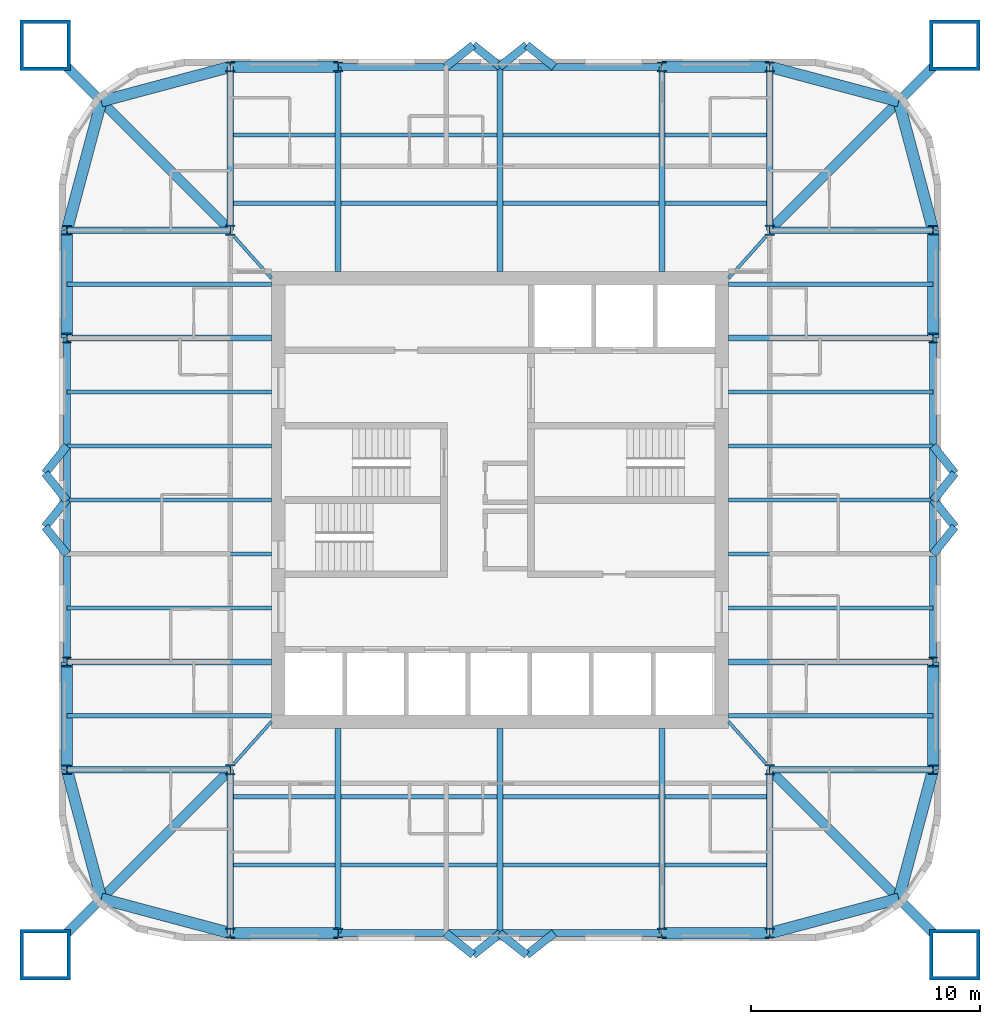
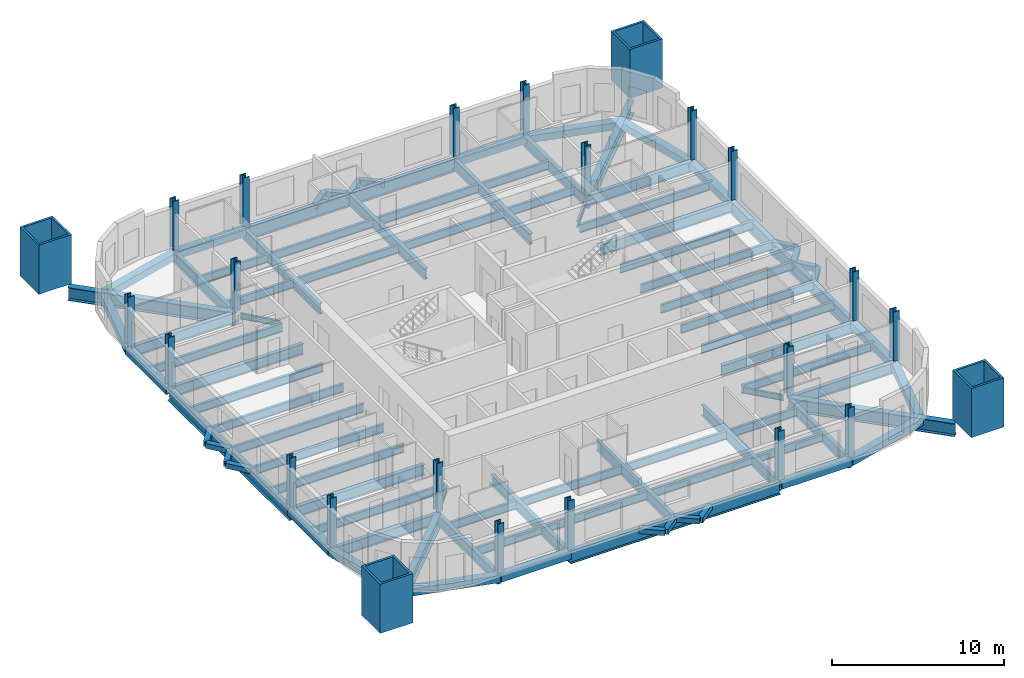
# One storey, part 1 of 8: 92 beams, 24 columns.
"""IFC4 building model written with IfcOpenShell, lengths in metres."""

from ifc_helpers import new_model, si_unit, direction, frame, origin, origin_2d, place, context, subcontext, project, spatial, hollow_rectangle, i_section, extrude, material, material_profile, profile_set, type_object, element, save


model = new_model("IFC4")

# Units and contexts
model_context = context("Model", 3, precision=1e-05, world=origin(), true_north=direction((0.0, 1.0)))
body_context = subcontext(model_context, "Body", "Model", "MODEL_VIEW")
ifc_project = project(units=[si_unit("LENGTHUNIT", "METRE"), si_unit("AREAUNIT", "SQUARE_METRE"), si_unit("VOLUMEUNIT", "CUBIC_METRE"), si_unit("PLANEANGLEUNIT", "RADIAN"), si_unit("MASSUNIT", "GRAM", prefix="KILO")], contexts=[model_context])

# Site, building, storey
site_placement = place(None, origin())
site = spatial("IfcSite", under=ifc_project, at=site_placement, CompositionType="ELEMENT")
building_placement = place(site_placement, origin())
building = spatial("IfcBuilding", under=site, at=building_placement, Name="Turquesa Mirador Hotel Tower", CompositionType="ELEMENT")
storey_placement = place(building_placement, frame((0.0, 0.0, 193.300048828125)))
storey = spatial("IfcBuildingStorey", under=building, at=storey_placement, Name="L52", CompositionType="ELEMENT", Elevation=193.300048828125)

# Columns
ifc_material_1 = material(Name="Steel ASTM A992 Grade 50", Category="steel")
ifc_material_profile_1 = material_profile(ifc_material_1, i_section(OverallWidth=0.411376953125, OverallDepth=0.434326171875, WebThickness=0.035888671875, FlangeThickness=0.057373046875, at=origin_2d()), Name="W14X311")
ifc_profile_set_1 = profile_set([ifc_material_profile_1], Name="Steel ASTM A992 Grade 50")
column_type_1 = type_object("IfcColumnType", Name="COLUMN W14X311", PredefinedType="COLUMN", material=ifc_profile_set_1)
for number, where, z_axis, x_axis, name in (
    (1, (36.050048828125, 33.199951171875, 0.0), (0.0, 0.0, 1.0), (1.0, 0.0, 0.0), "COL-L52-P--18.95--11.80"),
    (2, (36.050048828125, 37.919921875, 0.0), (0.0, 0.0, 1.0), (1.0, 0.0, 0.0), "COL-L52-P--18.95--7.08"),
    (3, (36.050048828125, 52.080078125, 0.0), (0.0, 0.0, 1.0), (1.0, 0.0, 0.0), "COL-L52-P--18.95-+7.08"),
    (4, (36.050048828125, 56.800048828125, 0.0), (0.0, 0.0, 1.0), (1.0, 0.0, 0.0), "COL-L52-P--18.95-+11.80"),
    (5, (43.199951171875, 26.050048828125, 0.0), (0.0, 0.0, 1.0), (1.0, 0.0, 0.0), "COL-L52-P--11.80--18.95"),
    (6, (43.199951171875, 63.949951171875, 0.0), (0.0, 0.0, 1.0), (1.0, 0.0, 0.0), "COL-L52-P--11.80-+18.95"),
    (7, (47.919921875, 26.050048828125, 0.0), (0.0, 0.0, 1.0), (1.0, 0.0, 0.0), "COL-L52-P--7.08--18.95"),
    (8, (47.919921875, 63.949951171875, 0.0), (0.0, 0.0, 1.0), (1.0, 0.0, 0.0), "COL-L52-P--7.08-+18.95"),
    (9, (62.080078125, 26.050048828125, 0.0), (0.0, 0.0, 1.0), (1.0, 0.0, 0.0), "COL-L52-P-+7.08--18.95"),
    (10, (62.080078125, 63.949951171875, 0.0), (0.0, 0.0, 1.0), (1.0, 0.0, 0.0), "COL-L52-P-+7.08-+18.95"),
    (11, (66.800048828125, 26.050048828125, 0.0), (0.0, 0.0, 1.0), (1.0, 0.0, 0.0), "COL-L52-P-+11.80--18.95"),
    (12, (66.800048828125, 63.949951171875, 0.0), (0.0, 0.0, 1.0), (1.0, 0.0, 0.0), "COL-L52-P-+11.80-+18.95"),
    (13, (73.949951171875, 33.199951171875, 0.0), (0.0, 0.0, 1.0), (1.0, 0.0, 0.0), "COL-L52-P-+18.95--11.80"),
    (14, (73.949951171875, 37.919921875, 0.0), (0.0, 0.0, 1.0), (1.0, 0.0, 0.0), "COL-L52-P-+18.95--7.08"),
    (15, (73.949951171875, 52.080078125, 0.0), (0.0, 0.0, 1.0), (1.0, 0.0, 0.0), "COL-L52-P-+18.95-+7.08"),
    (16, (73.949951171875, 56.800048828125, 0.0), (0.0, 0.0, 1.0), (1.0, 0.0, 0.0), "COL-L52-P-+18.95-+11.80"),
):
    element("IfcColumn", number, at=place(storey_placement, frame(where, z_axis=z_axis, x_axis=x_axis)), inside=storey, type_object=column_type_1, Name=name, PredefinedType="COLUMN", context=body_context, shape_type="SweptSolid", body=[
        extrude(i_section(OverallWidth=0.411376953125, OverallDepth=0.434326171875, WebThickness=0.035888671875, FlangeThickness=0.057373046875, at=origin_2d()), origin(), (0.0, 0.0, 1.0), 3.5),
    ])
ifc_material_2 = material(Name="Steel ASTM A992 Grade 50", Category="steel")
ifc_material_profile_2 = material_profile(ifc_material_2, i_section(OverallWidth=0.421630859375, OverallDepth=0.46484375, WebThickness=0.044921875, FlangeThickness=0.072509765625, at=origin_2d()), Name="W14X398")
ifc_profile_set_2 = profile_set([ifc_material_profile_2], Name="Steel ASTM A992 Grade 50")
column_type_2 = type_object("IfcColumnType", Name="COLUMN W14X398", PredefinedType="COLUMN", material=ifc_profile_set_2)
for number, where, z_axis, x_axis, name in (
    (17, (43.199951171875, 33.199951171875, 0.0), (0.0, 0.0, 1.0), (1.0, 0.0, 0.0), "COL-L52-K--11.80--11.80"),
    (18, (43.199951171875, 56.800048828125, 0.0), (0.0, 0.0, 1.0), (1.0, 0.0, 0.0), "COL-L52-K--11.80-+11.80"),
    (19, (66.800048828125, 33.199951171875, 0.0), (0.0, 0.0, 1.0), (1.0, 0.0, 0.0), "COL-L52-K-+11.80--11.80"),
    (20, (66.800048828125, 56.800048828125, 0.0), (0.0, 0.0, 1.0), (1.0, 0.0, 0.0), "COL-L52-K-+11.80-+11.80"),
):
    element("IfcColumn", number, at=place(storey_placement, frame(where, z_axis=z_axis, x_axis=x_axis)), inside=storey, type_object=column_type_2, Name=name, PredefinedType="COLUMN", context=body_context, shape_type="SweptSolid", body=[
        extrude(i_section(OverallWidth=0.421630859375, OverallDepth=0.46484375, WebThickness=0.044921875, FlangeThickness=0.072509765625, at=origin_2d()), origin(), (0.0, 0.0, 1.0), 3.5),
    ])
ifc_material_3 = material(Name="Steel ASTM A514 Grade Q", Category="steel")
ifc_material_profile_3 = material_profile(ifc_material_3, hollow_rectangle(XDim=2.199951171875, YDim=2.199951171875, WallThickness=0.14990234375, at=origin_2d()), Name="BOX2200X2200X150")
ifc_profile_set_3 = profile_set([ifc_material_profile_3], Name="Steel ASTM A514 Grade Q")
column_type_3 = type_object("IfcColumnType", Name="MEGA COLUMN BOX2200X2200X150", PredefinedType="COLUMN", material=ifc_profile_set_3)
for number, where, z_axis, x_axis, name in (
    (21, (74.89990234375, 64.89990234375, 0.0), (0.0, 0.0, 1.0), (1.0, 0.0, 0.0), "Mega column M1"),
    (22, (35.10009765625, 64.89990234375, 0.0), (0.0, 0.0, 1.0), (1.0, 0.0, 0.0), "Mega column M2"),
    (23, (35.10009765625, 25.10009765625, 0.0), (0.0, 0.0, 1.0), (1.0, 0.0, 0.0), "Mega column M3"),
    (24, (74.89990234375, 25.10009765625, 0.0), (0.0, 0.0, 1.0), (1.0, 0.0, 0.0), "Mega column M4"),
):
    element("IfcColumn", number, at=place(storey_placement, frame(where, z_axis=z_axis, x_axis=x_axis)), inside=storey, type_object=column_type_3, Name=name, PredefinedType="COLUMN", context=body_context, shape_type="SweptSolid", body=[
        extrude(hollow_rectangle(XDim=2.199951171875, YDim=2.199951171875, WallThickness=0.14990234375, at=origin_2d()), origin(), (0.0, 0.0, 1.0), 3.5),
    ])

# Beams
ifc_material_4 = material(Name="Steel ASTM A572 Grade 50", Category="steel")
ifc_material_profile_4 = material_profile(ifc_material_4, hollow_rectangle(XDim=0.5, YDim=0.5, WallThickness=0.01611328125, at=origin_2d()), Name="BOX500X500X16")
ifc_profile_set_4 = profile_set([ifc_material_profile_4], Name="Steel ASTM A572 Grade 50")
beam_type_1 = type_object("IfcBeamType", Name="BEAM BOX500X500X16", PredefinedType="BEAM", material=ifc_profile_set_4)
for number, where, z_axis, x_axis, name in (
    (25, (43.199951171875, 63.949951171875, -0.420166015625), (1.0, 0.0, 0.0), (0.0, 1.0, 0.0), "EB-L52-N-L"),
    (26, (62.080078125, 63.949951171875, -0.420166015625), (1.0, 0.0, 0.0), (0.0, 1.0, 0.0), "EB-L52-N-R"),
    (27, (43.199951171875, 26.050048828125, -0.420166015625), (1.0, 0.0, 0.0), (0.0, 1.0, 0.0), "EB-L52-S-L"),
    (28, (62.080078125, 26.050048828125, -0.420166015625), (1.0, 0.0, 0.0), (0.0, 1.0, 0.0), "EB-L52-S-R"),
    (29, (73.949951171875, 33.199951171875, -0.420166015625), (0.0, 1.0, 0.0), (-1.0, 0.0, 0.0), "EB-L52-E-L"),
    (30, (73.949951171875, 52.080078125, -0.420166015625), (0.0, 1.0, 0.0), (-1.0, 0.0, 0.0), "EB-L52-E-R"),
    (31, (36.050048828125, 33.199951171875, -0.420166015625), (0.0, 1.0, 0.0), (-1.0, 0.0, 0.0), "EB-L52-W-L"),
    (32, (36.050048828125, 52.080078125, -0.420166015625), (0.0, 1.0, 0.0), (-1.0, 0.0, 0.0), "EB-L52-W-R"),
):
    element("IfcBeam", number, at=place(storey_placement, frame(where, z_axis=z_axis, x_axis=x_axis)), inside=storey, type_object=beam_type_1, Name=name, PredefinedType="BEAM", context=body_context, shape_type="SweptSolid", body=[
        extrude(hollow_rectangle(XDim=0.5, YDim=0.5, WallThickness=0.01611328125, at=origin_2d()), origin(), (0.0, 0.0, 1.0), 4.719970703125),
    ])
for number, where, z_axis, x_axis, name in (
    (33, (73.949951171875, 56.800048828125, -0.420166015625), (-0.258281892145, 0.966069595935, 0.0), (-0.966069595935, -0.258281892145, 0.0), "KE-L52-1-0"),
    (34, (72.441650390625, 62.441650390625, -0.420166015625), (-0.966069595935, 0.258281892145, 0.0), (-0.258281892145, -0.966069595935, 0.0), "KE-L52-1-1"),
    (35, (36.050048828125, 56.800048828125, -0.420166015625), (0.258281892145, 0.966069595935, 0.0), (-0.966069595935, 0.258281892145, 0.0), "KE-L52-2-0"),
    (36, (37.558349609375, 62.441650390625, -0.420166015625), (0.966069595935, 0.258281892145, 0.0), (-0.258281892145, 0.966069595935, 0.0), "KE-L52-2-1"),
    (37, (36.050048828125, 33.199951171875, -0.420166015625), (0.258281892145, -0.966069595935, 0.0), (0.966069595935, 0.258281892145, 0.0), "KE-L52-3-0"),
    (38, (37.558349609375, 27.558349609375, -0.420166015625), (0.966069595935, -0.258281892145, 0.0), (0.258281892145, 0.966069595935, 0.0), "KE-L52-3-1"),
    (39, (73.949951171875, 33.199951171875, -0.420166015625), (-0.258281892145, -0.966069595935, 0.0), (0.966069595935, -0.258281892145, 0.0), "KE-L52-4-0"),
    (40, (72.441650390625, 27.558349609375, -0.420166015625), (-0.966069595935, -0.258281892145, 0.0), (0.258281892145, -0.966069595935, 0.0), "KE-L52-4-1"),
):
    element("IfcBeam", number, at=place(storey_placement, frame(where, z_axis=z_axis, x_axis=x_axis)), inside=storey, type_object=beam_type_1, Name=name, PredefinedType="BEAM", context=body_context, shape_type="SweptSolid", body=[
        extrude(hollow_rectangle(XDim=0.5, YDim=0.5, WallThickness=0.01611328125, at=origin_2d()), origin(), (0.0, 0.0, 1.0), 5.83984375),
    ])
ifc_material_5 = material(Name="Steel ASTM A992 Grade 50", Category="steel")
ifc_material_profile_5 = material_profile(ifc_material_5, i_section(OverallWidth=0.140380859375, OverallDepth=0.40380859375, WebThickness=0.007080078125, FlangeThickness=0.01123046875, at=origin_2d()), Name="W16X31")
ifc_profile_set_5 = profile_set([ifc_material_profile_5], Name="Steel ASTM A992 Grade 50")
beam_type_2 = type_object("IfcBeamType", Name="BEAM W16X31", PredefinedType="BEAM", material=ifc_profile_set_5)
for number, where, z_axis, x_axis, name in (
    (41, (66.634765625, 56.527099609375, -0.3720703125), (-0.666783216266, -0.745251730964, 0.0), (0.745251730964, -0.666783216266, 0.0), "KT-L52-1"),
    (42, (43.365234375, 56.527099609375, -0.3720703125), (0.666783216266, -0.745251730964, 0.0), (0.745251730964, 0.666783216266, 0.0), "KT-L52-2"),
    (43, (43.365234375, 33.472900390625, -0.3720703125), (0.666783216266, 0.745251730964, 0.0), (-0.745251730964, 0.666783216266, 0.0), "KT-L52-3"),
    (44, (66.634765625, 33.472900390625, -0.3720703125), (-0.666783216266, 0.745251730964, 0.0), (-0.745251730964, -0.666783216266, 0.0), "KT-L52-4"),
):
    element("IfcBeam", number, at=place(storey_placement, frame(where, z_axis=z_axis, x_axis=x_axis)), inside=storey, type_object=beam_type_2, Name=name, PredefinedType="BEAM", context=body_context, shape_type="SweptSolid", body=[
        extrude(i_section(OverallWidth=0.140380859375, OverallDepth=0.40380859375, WebThickness=0.007080078125, FlangeThickness=0.01123046875, at=origin_2d()), origin(), (0.0, 0.0, 1.0), 2.45166015625),
    ])
ifc_material_6 = material(Name="Steel ASTM A992 Grade 50", Category="steel")
ifc_material_profile_6 = material_profile(ifc_material_6, i_section(OverallWidth=0.177978515625, OverallDepth=0.599365234375, WebThickness=0.010009765625, FlangeThickness=0.012939453125, at=origin_2d()), Name="W24X55")
ifc_profile_set_6 = profile_set([ifc_material_profile_6], Name="Steel ASTM A992 Grade 50")
beam_type_3 = type_object("IfcBeamType", Name="BEAM W24X55", PredefinedType="BEAM", material=ifc_profile_set_6)
beam_1_placement = place(storey_placement, frame((43.333251953125, 57.98291015625, -0.4697265625), z_axis=(1.0, 0.0, 0.0), x_axis=(0.0, 1.0, 0.0)))
element("IfcBeam", 45, at=beam_1_placement, inside=storey, type_object=beam_type_3, Name="IB-L52-N-1-0", PredefinedType="BEAM", context=body_context, shape_type="SweptSolid", body=[
    extrude(i_section(OverallWidth=0.177978515625, OverallDepth=0.599365234375, WebThickness=0.010009765625, FlangeThickness=0.012939453125, at=origin_2d()), origin(), (0.0, 0.0, 1.0), 4.453369140625),
])
for number, where, z_axis, x_axis, name in (
    (46, (48.053466796875, 57.98291015625, -0.4697265625), (1.0, 0.0, 0.0), (0.0, 1.0, 0.0), "IB-L52-N-1-1"),
    (47, (55.13330078125, 57.98291015625, -0.4697265625), (1.0, 0.0, 0.0), (0.0, 1.0, 0.0), "IB-L52-N-1-2"),
):
    element("IfcBeam", number, at=place(storey_placement, frame(where, z_axis=z_axis, x_axis=x_axis)), inside=storey, type_object=beam_type_3, Name=name, PredefinedType="BEAM", context=body_context, shape_type="SweptSolid", body=[
        extrude(i_section(OverallWidth=0.177978515625, OverallDepth=0.599365234375, WebThickness=0.010009765625, FlangeThickness=0.012939453125, at=origin_2d()), origin(), (0.0, 0.0, 1.0), 6.813232421875),
    ])
for number, where, z_axis, x_axis, name in (
    (48, (62.21337890625, 57.98291015625, -0.4697265625), (1.0, 0.0, 0.0), (0.0, 1.0, 0.0), "IB-L52-N-1-3"),
    (49, (43.333251953125, 60.967041015625, -0.4697265625), (1.0, 0.0, 0.0), (0.0, 1.0, 0.0), "IB-L52-N-2-0"),
):
    element("IfcBeam", number, at=place(storey_placement, frame(where, z_axis=z_axis, x_axis=x_axis)), inside=storey, type_object=beam_type_3, Name=name, PredefinedType="BEAM", context=body_context, shape_type="SweptSolid", body=[
        extrude(i_section(OverallWidth=0.177978515625, OverallDepth=0.599365234375, WebThickness=0.010009765625, FlangeThickness=0.012939453125, at=origin_2d()), origin(), (0.0, 0.0, 1.0), 4.453369140625),
    ])
for number, where, z_axis, x_axis, name in (
    (50, (48.053466796875, 60.967041015625, -0.4697265625), (1.0, 0.0, 0.0), (0.0, 1.0, 0.0), "IB-L52-N-2-1"),
    (51, (55.13330078125, 60.967041015625, -0.4697265625), (1.0, 0.0, 0.0), (0.0, 1.0, 0.0), "IB-L52-N-2-2"),
):
    element("IfcBeam", number, at=place(storey_placement, frame(where, z_axis=z_axis, x_axis=x_axis)), inside=storey, type_object=beam_type_3, Name=name, PredefinedType="BEAM", context=body_context, shape_type="SweptSolid", body=[
        extrude(i_section(OverallWidth=0.177978515625, OverallDepth=0.599365234375, WebThickness=0.010009765625, FlangeThickness=0.012939453125, at=origin_2d()), origin(), (0.0, 0.0, 1.0), 6.813232421875),
    ])
for number, where, z_axis, x_axis, name in (
    (52, (62.21337890625, 60.967041015625, -0.4697265625), (1.0, 0.0, 0.0), (0.0, 1.0, 0.0), "IB-L52-N-2-3"),
    (53, (43.333251953125, 32.01708984375, -0.4697265625), (1.0, 0.0, 0.0), (0.0, 1.0, 0.0), "IB-L52-S-1-0"),
):
    element("IfcBeam", number, at=place(storey_placement, frame(where, z_axis=z_axis, x_axis=x_axis)), inside=storey, type_object=beam_type_3, Name=name, PredefinedType="BEAM", context=body_context, shape_type="SweptSolid", body=[
        extrude(i_section(OverallWidth=0.177978515625, OverallDepth=0.599365234375, WebThickness=0.010009765625, FlangeThickness=0.012939453125, at=origin_2d()), origin(), (0.0, 0.0, 1.0), 4.453369140625),
    ])
for number, where, z_axis, x_axis, name in (
    (54, (48.053466796875, 32.01708984375, -0.4697265625), (1.0, 0.0, 0.0), (0.0, 1.0, 0.0), "IB-L52-S-1-1"),
    (55, (55.13330078125, 32.01708984375, -0.4697265625), (1.0, 0.0, 0.0), (0.0, 1.0, 0.0), "IB-L52-S-1-2"),
):
    element("IfcBeam", number, at=place(storey_placement, frame(where, z_axis=z_axis, x_axis=x_axis)), inside=storey, type_object=beam_type_3, Name=name, PredefinedType="BEAM", context=body_context, shape_type="SweptSolid", body=[
        extrude(i_section(OverallWidth=0.177978515625, OverallDepth=0.599365234375, WebThickness=0.010009765625, FlangeThickness=0.012939453125, at=origin_2d()), origin(), (0.0, 0.0, 1.0), 6.813232421875),
    ])
for number, where, z_axis, x_axis, name in (
    (56, (62.21337890625, 32.01708984375, -0.4697265625), (1.0, 0.0, 0.0), (0.0, 1.0, 0.0), "IB-L52-S-1-3"),
    (57, (43.333251953125, 29.032958984375, -0.4697265625), (1.0, 0.0, 0.0), (0.0, 1.0, 0.0), "IB-L52-S-2-0"),
):
    element("IfcBeam", number, at=place(storey_placement, frame(where, z_axis=z_axis, x_axis=x_axis)), inside=storey, type_object=beam_type_3, Name=name, PredefinedType="BEAM", context=body_context, shape_type="SweptSolid", body=[
        extrude(i_section(OverallWidth=0.177978515625, OverallDepth=0.599365234375, WebThickness=0.010009765625, FlangeThickness=0.012939453125, at=origin_2d()), origin(), (0.0, 0.0, 1.0), 4.453369140625),
    ])
for number, where, z_axis, x_axis, name in (
    (58, (48.053466796875, 29.032958984375, -0.4697265625), (1.0, 0.0, 0.0), (0.0, 1.0, 0.0), "IB-L52-S-2-1"),
    (59, (55.13330078125, 29.032958984375, -0.4697265625), (1.0, 0.0, 0.0), (0.0, 1.0, 0.0), "IB-L52-S-2-2"),
):
    element("IfcBeam", number, at=place(storey_placement, frame(where, z_axis=z_axis, x_axis=x_axis)), inside=storey, type_object=beam_type_3, Name=name, PredefinedType="BEAM", context=body_context, shape_type="SweptSolid", body=[
        extrude(i_section(OverallWidth=0.177978515625, OverallDepth=0.599365234375, WebThickness=0.010009765625, FlangeThickness=0.012939453125, at=origin_2d()), origin(), (0.0, 0.0, 1.0), 6.813232421875),
    ])
beam_2_placement = place(storey_placement, frame((62.21337890625, 29.032958984375, -0.4697265625), z_axis=(1.0, 0.0, 0.0), x_axis=(0.0, 1.0, 0.0)))
element("IfcBeam", 60, at=beam_2_placement, inside=storey, type_object=beam_type_3, Name="IB-L52-S-2-3", PredefinedType="BEAM", context=body_context, shape_type="SweptSolid", body=[
    extrude(i_section(OverallWidth=0.177978515625, OverallDepth=0.599365234375, WebThickness=0.010009765625, FlangeThickness=0.012939453125, at=origin_2d()), origin(), (0.0, 0.0, 1.0), 4.453369140625),
])
for number, where, z_axis, x_axis, name in (
    (61, (73.949951171875, 35.56005859375, -0.4697265625), (-1.0, 0.0, 0.0), (0.0, -1.0, 0.0), "BM-L52-E--9.44"),
    (62, (73.949951171875, 40.280029296875, -0.4697265625), (-1.0, 0.0, 0.0), (0.0, -1.0, 0.0), "BM-L52-E--4.72"),
    (63, (73.949951171875, 42.639892578125, -0.4697265625), (-1.0, 0.0, 0.0), (0.0, -1.0, 0.0), "BM-L52-E--2.36"),
    (64, (73.949951171875, 45.0, -0.4697265625), (-1.0, 0.0, 0.0), (0.0, -1.0, 0.0), "BM-L52-E-+0.00"),
    (65, (73.949951171875, 47.360107421875, -0.4697265625), (-1.0, 0.0, 0.0), (0.0, -1.0, 0.0), "BM-L52-E-+2.36"),
    (66, (73.949951171875, 49.719970703125, -0.4697265625), (-1.0, 0.0, 0.0), (0.0, -1.0, 0.0), "BM-L52-E-+4.72"),
    (67, (73.949951171875, 54.43994140625, -0.4697265625), (-1.0, 0.0, 0.0), (0.0, -1.0, 0.0), "BM-L52-E-+9.44"),
    (68, (36.050048828125, 35.56005859375, -0.4697265625), (1.0, 0.0, 0.0), (0.0, 1.0, 0.0), "BM-L52-W--9.44"),
    (69, (36.050048828125, 40.280029296875, -0.4697265625), (1.0, 0.0, 0.0), (0.0, 1.0, 0.0), "BM-L52-W--4.72"),
    (70, (36.050048828125, 42.639892578125, -0.4697265625), (1.0, 0.0, 0.0), (0.0, 1.0, 0.0), "BM-L52-W--2.36"),
    (71, (36.050048828125, 45.0, -0.4697265625), (1.0, 0.0, 0.0), (0.0, 1.0, 0.0), "BM-L52-W-+0.00"),
    (72, (36.050048828125, 47.360107421875, -0.4697265625), (1.0, 0.0, 0.0), (0.0, 1.0, 0.0), "BM-L52-W-+2.36"),
    (73, (36.050048828125, 49.719970703125, -0.4697265625), (1.0, 0.0, 0.0), (0.0, 1.0, 0.0), "BM-L52-W-+4.72"),
    (74, (36.050048828125, 54.43994140625, -0.4697265625), (1.0, 0.0, 0.0), (0.0, 1.0, 0.0), "BM-L52-W-+9.44"),
):
    element("IfcBeam", number, at=place(storey_placement, frame(where, z_axis=z_axis, x_axis=x_axis)), inside=storey, type_object=beam_type_3, Name=name, PredefinedType="BEAM", context=body_context, shape_type="SweptSolid", body=[
        extrude(i_section(OverallWidth=0.177978515625, OverallDepth=0.599365234375, WebThickness=0.010009765625, FlangeThickness=0.012939453125, at=origin_2d()), origin(), (0.0, 0.0, 1.0), 8.949951171875),
    ])
ifc_material_7 = material(Name="Steel ASTM A992 Grade 50", Category="steel")
ifc_material_profile_7 = material_profile(ifc_material_7, i_section(OverallWidth=0.2666015625, OverallDepth=0.7568359375, WebThickness=0.013916015625, FlangeThickness=0.019287109375, at=origin_2d()), Name="W30X108")
ifc_profile_set_7 = profile_set([ifc_material_profile_7], Name="Steel ASTM A992 Grade 50")
beam_type_4 = type_object("IfcBeamType", Name="BEAM W30X108", PredefinedType="BEAM", material=ifc_profile_set_7)
for number, where, z_axis, x_axis, name in (
    (75, (47.919921875, 63.949951171875, -0.548583984375), (0.0, -1.0, 0.0), (1.0, 0.0, 0.0), "GD-L52-N--7.08"),
    (76, (62.080078125, 63.949951171875, -0.548583984375), (0.0, -1.0, 0.0), (1.0, 0.0, 0.0), "GD-L52-N-+7.08"),
    (77, (55.0, 63.949951171875, -0.548583984375), (0.0, -1.0, 0.0), (1.0, 0.0, 0.0), "GD-L52-N-+0.00"),
):
    element("IfcBeam", number, at=place(storey_placement, frame(where, z_axis=z_axis, x_axis=x_axis)), inside=storey, type_object=beam_type_4, Name=name, PredefinedType="BEAM", context=body_context, shape_type="SweptSolid", body=[
        extrude(i_section(OverallWidth=0.2666015625, OverallDepth=0.7568359375, WebThickness=0.013916015625, FlangeThickness=0.019287109375, at=origin_2d()), origin(), (0.0, 0.0, 1.0), 8.949951171875),
    ])
for number, where, z_axis, x_axis, name in (
    (78, (43.199951171875, 63.949951171875, -0.548583984375), (0.0, -1.0, 0.0), (1.0, 0.0, 0.0), "GK-L52-N--11.80"),
    (79, (66.800048828125, 63.949951171875, -0.548583984375), (0.0, -1.0, 0.0), (1.0, 0.0, 0.0), "GK-L52-N-+11.80"),
):
    element("IfcBeam", number, at=place(storey_placement, frame(where, z_axis=z_axis, x_axis=x_axis)), inside=storey, type_object=beam_type_4, Name=name, PredefinedType="BEAM", context=body_context, shape_type="SweptSolid", body=[
        extrude(i_section(OverallWidth=0.2666015625, OverallDepth=0.7568359375, WebThickness=0.013916015625, FlangeThickness=0.019287109375, at=origin_2d()), origin(), (0.0, 0.0, 1.0), 7.14990234375),
    ])
for number, where, z_axis, x_axis, name in (
    (80, (47.919921875, 26.050048828125, -0.548583984375), (0.0, 1.0, 0.0), (-1.0, 0.0, 0.0), "GD-L52-S--7.08"),
    (81, (62.080078125, 26.050048828125, -0.548583984375), (0.0, 1.0, 0.0), (-1.0, 0.0, 0.0), "GD-L52-S-+7.08"),
    (82, (55.0, 26.050048828125, -0.548583984375), (0.0, 1.0, 0.0), (-1.0, 0.0, 0.0), "GD-L52-S-+0.00"),
):
    element("IfcBeam", number, at=place(storey_placement, frame(where, z_axis=z_axis, x_axis=x_axis)), inside=storey, type_object=beam_type_4, Name=name, PredefinedType="BEAM", context=body_context, shape_type="SweptSolid", body=[
        extrude(i_section(OverallWidth=0.2666015625, OverallDepth=0.7568359375, WebThickness=0.013916015625, FlangeThickness=0.019287109375, at=origin_2d()), origin(), (0.0, 0.0, 1.0), 8.949951171875),
    ])
for number, where, z_axis, x_axis, name in (
    (83, (43.199951171875, 26.050048828125, -0.548583984375), (0.0, 1.0, 0.0), (-1.0, 0.0, 0.0), "GK-L52-S--11.80"),
    (84, (66.800048828125, 26.050048828125, -0.548583984375), (0.0, 1.0, 0.0), (-1.0, 0.0, 0.0), "GK-L52-S-+11.80"),
):
    element("IfcBeam", number, at=place(storey_placement, frame(where, z_axis=z_axis, x_axis=x_axis)), inside=storey, type_object=beam_type_4, Name=name, PredefinedType="BEAM", context=body_context, shape_type="SweptSolid", body=[
        extrude(i_section(OverallWidth=0.2666015625, OverallDepth=0.7568359375, WebThickness=0.013916015625, FlangeThickness=0.019287109375, at=origin_2d()), origin(), (0.0, 0.0, 1.0), 7.14990234375),
    ])
for number, where, z_axis, x_axis, name in (
    (85, (73.949951171875, 37.919921875, -0.548583984375), (-1.0, 0.0, 0.0), (0.0, -1.0, 0.0), "GD-L52-E--7.08"),
    (86, (73.949951171875, 52.080078125, -0.548583984375), (-1.0, 0.0, 0.0), (0.0, -1.0, 0.0), "GD-L52-E-+7.08"),
):
    element("IfcBeam", number, at=place(storey_placement, frame(where, z_axis=z_axis, x_axis=x_axis)), inside=storey, type_object=beam_type_4, Name=name, PredefinedType="BEAM", context=body_context, shape_type="SweptSolid", body=[
        extrude(i_section(OverallWidth=0.2666015625, OverallDepth=0.7568359375, WebThickness=0.013916015625, FlangeThickness=0.019287109375, at=origin_2d()), origin(), (0.0, 0.0, 1.0), 8.949951171875),
    ])
for number, where, z_axis, x_axis, name in (
    (87, (73.949951171875, 33.199951171875, -0.548583984375), (-1.0, 0.0, 0.0), (0.0, -1.0, 0.0), "GK-L52-E--11.80"),
    (88, (73.949951171875, 56.800048828125, -0.548583984375), (-1.0, 0.0, 0.0), (0.0, -1.0, 0.0), "GK-L52-E-+11.80"),
):
    element("IfcBeam", number, at=place(storey_placement, frame(where, z_axis=z_axis, x_axis=x_axis)), inside=storey, type_object=beam_type_4, Name=name, PredefinedType="BEAM", context=body_context, shape_type="SweptSolid", body=[
        extrude(i_section(OverallWidth=0.2666015625, OverallDepth=0.7568359375, WebThickness=0.013916015625, FlangeThickness=0.019287109375, at=origin_2d()), origin(), (0.0, 0.0, 1.0), 7.14990234375),
    ])
for number, where, z_axis, x_axis, name in (
    (89, (36.050048828125, 37.919921875, -0.548583984375), (1.0, 0.0, 0.0), (0.0, 1.0, 0.0), "GD-L52-W--7.08"),
    (90, (36.050048828125, 52.080078125, -0.548583984375), (1.0, 0.0, 0.0), (0.0, 1.0, 0.0), "GD-L52-W-+7.08"),
):
    element("IfcBeam", number, at=place(storey_placement, frame(where, z_axis=z_axis, x_axis=x_axis)), inside=storey, type_object=beam_type_4, Name=name, PredefinedType="BEAM", context=body_context, shape_type="SweptSolid", body=[
        extrude(i_section(OverallWidth=0.2666015625, OverallDepth=0.7568359375, WebThickness=0.013916015625, FlangeThickness=0.019287109375, at=origin_2d()), origin(), (0.0, 0.0, 1.0), 8.949951171875),
    ])
for number, where, z_axis, x_axis, name in (
    (91, (36.050048828125, 33.199951171875, -0.548583984375), (1.0, 0.0, 0.0), (0.0, 1.0, 0.0), "GK-L52-W--11.80"),
    (92, (36.050048828125, 56.800048828125, -0.548583984375), (1.0, 0.0, 0.0), (0.0, 1.0, 0.0), "GK-L52-W-+11.80"),
):
    element("IfcBeam", number, at=place(storey_placement, frame(where, z_axis=z_axis, x_axis=x_axis)), inside=storey, type_object=beam_type_4, Name=name, PredefinedType="BEAM", context=body_context, shape_type="SweptSolid", body=[
        extrude(i_section(OverallWidth=0.2666015625, OverallDepth=0.7568359375, WebThickness=0.013916015625, FlangeThickness=0.019287109375, at=origin_2d()), origin(), (0.0, 0.0, 1.0), 7.14990234375),
    ])
ifc_material_8 = material(Name="Steel ASTM A992 Grade 50", Category="steel")
ifc_material_profile_8 = material_profile(ifc_material_8, i_section(OverallWidth=0.3046875, OverallDepth=0.911865234375, WebThickness=0.015869140625, FlangeThickness=0.02392578125, at=origin_2d()), Name="W36X150")
ifc_profile_set_8 = profile_set([ifc_material_profile_8], Name="Steel ASTM A992 Grade 50")
beam_type_5 = type_object("IfcBeamType", Name="BEAM W36X150", PredefinedType="BEAM", material=ifc_profile_set_8)
for number, where, z_axis, x_axis, name in (
    (93, (47.919921875, 63.949951171875, -0.6259765625), (1.0, 0.0, 0.0), (0.0, 1.0, 0.0), "EB-L52-N-C"),
    (94, (47.919921875, 26.050048828125, -0.6259765625), (1.0, 0.0, 0.0), (0.0, 1.0, 0.0), "EB-L52-S-C"),
    (95, (73.949951171875, 37.919921875, -0.6259765625), (0.0, 1.0, 0.0), (-1.0, 0.0, 0.0), "EB-L52-E-C"),
    (96, (36.050048828125, 37.919921875, -0.6259765625), (0.0, 1.0, 0.0), (-1.0, 0.0, 0.0), "EB-L52-W-C"),
):
    element("IfcBeam", number, at=place(storey_placement, frame(where, z_axis=z_axis, x_axis=x_axis)), inside=storey, type_object=beam_type_5, Name=name, PredefinedType="BEAM", context=body_context, shape_type="SweptSolid", body=[
        extrude(i_section(OverallWidth=0.3046875, OverallDepth=0.911865234375, WebThickness=0.015869140625, FlangeThickness=0.02392578125, at=origin_2d()), origin(), (0.0, 0.0, 1.0), 14.16015625),
    ])
ifc_material_9 = material(Name="Steel ASTM A992 Grade 50", Category="steel")
ifc_material_profile_9 = material_profile(ifc_material_9, i_section(OverallWidth=0.419189453125, OverallDepth=0.927001953125, WebThickness=0.019287109375, FlangeThickness=0.031982421875, at=origin_2d()), Name="W36X231")
ifc_profile_set_9 = profile_set([ifc_material_profile_9], Name="Steel ASTM A992 Grade 50")
beam_type_6 = type_object("IfcBeamType", Name="BEAM W36X231", PredefinedType="BEAM", material=ifc_profile_set_9)
for number, where, z_axis, x_axis, name in (
    (97, (66.800048828125, 56.800048828125, -0.633544921875), (0.707106781187, 0.707106781187, 0.0), (-0.707106781187, 0.707106781187, 0.0), "KD-L52-1"),
    (98, (43.199951171875, 56.800048828125, -0.633544921875), (-0.707106781187, 0.707106781187, 0.0), (-0.707106781187, -0.707106781187, 0.0), "KD-L52-2"),
    (99, (43.199951171875, 33.199951171875, -0.633544921875), (-0.707106781187, -0.707106781187, 0.0), (0.707106781187, -0.707106781187, 0.0), "KD-L52-3"),
    (100, (66.800048828125, 33.199951171875, -0.633544921875), (0.707106781187, -0.707106781187, 0.0), (0.707106781187, 0.707106781187, 0.0), "KD-L52-4"),
):
    element("IfcBeam", number, at=place(storey_placement, frame(where, z_axis=z_axis, x_axis=x_axis)), inside=storey, type_object=beam_type_6, Name=name, PredefinedType="BEAM", context=body_context, shape_type="SweptSolid", body=[
        extrude(i_section(OverallWidth=0.419189453125, OverallDepth=0.927001953125, WebThickness=0.019287109375, FlangeThickness=0.031982421875, at=origin_2d()), origin(), (0.0, 0.0, 1.0), 10.080322265625),
    ])
ifc_material_10 = material(Name="Steel ASTM A500 Grade C", Category="steel")
ifc_material_profile_10 = material_profile(ifc_material_10, hollow_rectangle(XDim=0.355712890625, YDim=0.355712890625, WallThickness=0.0146484375, at=origin_2d()), Name="HSS14X14X5/8")
ifc_profile_set_10 = profile_set([ifc_material_profile_10], Name="Steel ASTM A500 Grade C")
beam_type_7 = type_object("IfcBeamType", Name="BRACE STRUT HSS14X14X5/8", PredefinedType="BEAM", material=ifc_profile_set_10)
for number, where, z_axis, x_axis, name in (
    (101, (56.170654296875, 64.89990234375, -0.347900390625), (-0.784049059149, -0.620698858423, 0.0), (0.620698858423, -0.784049059149, 0.0), "Brace strut"),
    (102, (56.170654296875, 64.89990234375, -0.347900390625), (0.784049059149, -0.620698858423, 0.0), (0.620698858423, 0.784049059149, 0.0), "Brace strut"),
    (103, (53.829345703125, 64.89990234375, -0.347900390625), (-0.784049059149, -0.620698858423, 0.0), (0.620698858423, -0.784049059149, 0.0), "Brace strut"),
    (104, (53.829345703125, 64.89990234375, -0.347900390625), (0.784049059149, -0.620698858423, 0.0), (0.620698858423, 0.784049059149, 0.0), "Brace strut"),
    (105, (56.170654296875, 25.10009765625, -0.347900390625), (-0.784049059149, 0.620698858423, 0.0), (-0.620698858423, -0.784049059149, 0.0), "Brace strut"),
    (106, (56.170654296875, 25.10009765625, -0.347900390625), (0.784049059149, 0.620698858423, 0.0), (-0.620698858423, 0.784049059149, 0.0), "Brace strut"),
    (107, (53.829345703125, 25.10009765625, -0.347900390625), (-0.784049059149, 0.620698858423, 0.0), (-0.620698858423, -0.784049059149, 0.0), "Brace strut"),
    (108, (53.829345703125, 25.10009765625, -0.347900390625), (0.784049059149, 0.620698858423, 0.0), (-0.620698858423, 0.784049059149, 0.0), "Brace strut"),
    (109, (74.89990234375, 46.170654296875, -0.347900390625), (-0.620698858423, -0.784049059149, 0.0), (0.784049059149, -0.620698858423, 0.0), "Brace strut"),
    (110, (74.89990234375, 46.170654296875, -0.347900390625), (-0.620698858423, 0.784049059149, 0.0), (-0.784049059149, -0.620698858423, 0.0), "Brace strut"),
    (111, (74.89990234375, 43.829345703125, -0.347900390625), (-0.620698858423, -0.784049059149, 0.0), (0.784049059149, -0.620698858423, 0.0), "Brace strut"),
    (112, (74.89990234375, 43.829345703125, -0.347900390625), (-0.620698858423, 0.784049059149, 0.0), (-0.784049059149, -0.620698858423, 0.0), "Brace strut"),
    (113, (35.10009765625, 46.170654296875, -0.347900390625), (0.620698858423, -0.784049059149, 0.0), (0.784049059149, 0.620698858423, 0.0), "Brace strut"),
    (114, (35.10009765625, 46.170654296875, -0.347900390625), (0.620698858423, 0.784049059149, 0.0), (-0.784049059149, 0.620698858423, 0.0), "Brace strut"),
    (115, (35.10009765625, 43.829345703125, -0.347900390625), (0.620698858423, -0.784049059149, 0.0), (0.784049059149, 0.620698858423, 0.0), "Brace strut"),
    (116, (35.10009765625, 43.829345703125, -0.347900390625), (0.620698858423, 0.784049059149, 0.0), (-0.784049059149, 0.620698858423, 0.0), "Brace strut"),
):
    element("IfcBeam", number, at=place(storey_placement, frame(where, z_axis=z_axis, x_axis=x_axis)), inside=storey, type_object=beam_type_7, Name=name, PredefinedType="BEAM", context=body_context, shape_type="SweptSolid", body=[
        extrude(hollow_rectangle(XDim=0.355712890625, YDim=0.355712890625, WallThickness=0.0146484375, at=origin_2d()), origin(), (0.0, 0.0, 1.0), 1.530517578125),
    ])

save(model, "model.ifc")
